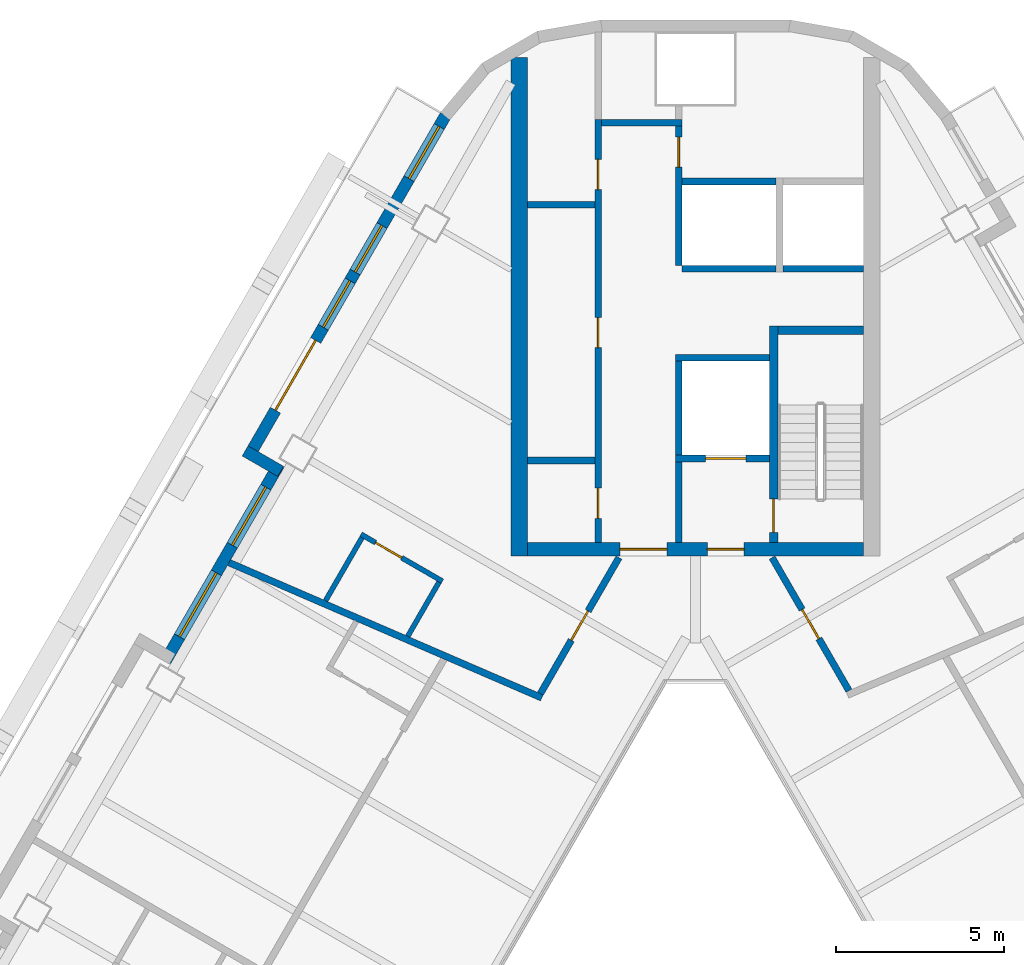
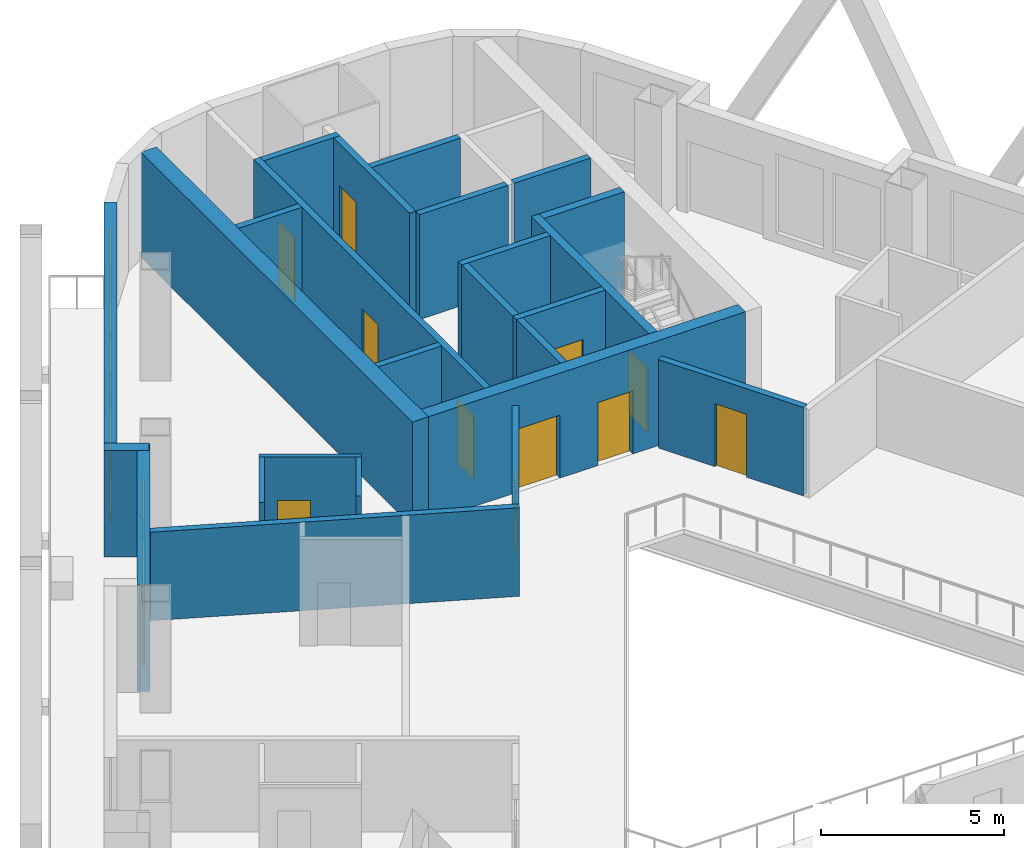
# One storey, part 6 of 13: 25 walls, 12 doors, 5 windows, 17 openings.
"""IFC4 building model written with IfcOpenShell, lengths in metres."""

from ifc_helpers import new_model, si_unit, direction, frame, frame_2d, origin, place, context, subcontext, project, spatial, rectangle, extrude, material, layer, layer_set, type_object, element, fill, save


model = new_model("IFC4")

# Units and contexts
model_context = context("Model", 3, precision=1e-05, world=origin(), true_north=direction((0.0, 1.0)))
body_context = subcontext(model_context, "Body", "Model", "MODEL_VIEW")
ifc_project = project(units=[si_unit("LENGTHUNIT", "METRE"), si_unit("AREAUNIT", "SQUARE_METRE"), si_unit("VOLUMEUNIT", "CUBIC_METRE"), si_unit("PLANEANGLEUNIT", "RADIAN"), si_unit("MASSUNIT", "GRAM", prefix="KILO")], contexts=[model_context])

# Site, building, storey
site_placement = place(None, origin())
site = spatial("IfcSite", under=ifc_project, at=site_placement, CompositionType="ELEMENT")
building_placement = place(site_placement, origin())
building = spatial("IfcBuilding", under=site, at=building_placement, Name="Apuvela Tower Hotel", CompositionType="ELEMENT")
storey_placement = place(building_placement, frame((0.0, 0.0, 161.39990234375)))
storey = spatial("IfcBuildingStorey", under=building, at=storey_placement, Name="L38", CompositionType="ELEMENT", Elevation=161.39990234375)

# Wall, openings, doors
ifc_material_1 = material(Name="Concrete C50/60", Category="concrete")
ifc_layer_1 = layer(ifc_material_1, 0.39990234375)
ifc_layer_set_1 = layer_set([ifc_layer_1], Name="COR-WALL-CORE-400")
wall_type_1 = type_object("IfcWallType", Name="COR-WALL-CORE-400", PredefinedType="SHEAR", material=ifc_layer_set_1)
wall_1_placement = place(storey_placement, frame((5.0, 13.10009765625, 0.0), z_axis=(0.0, 0.0, 1.0), x_axis=(-1.0, 0.0, 0.0)))
wall_1 = element("IfcWall", 1, at=wall_1_placement, inside=storey, type_object=wall_type_1, Name="Core wall N", PredefinedType="SHEAR", context=body_context, shape_type="SweptSolid", body=[
    extrude(rectangle(XDim=10.0, YDim=0.39990234375, at=frame_2d((5.0, 0.0))), origin(), (0.0, 0.0, 1.0), 3.5),
])
opening_1_placement = place(wall_1_placement, frame((3.550048828125, 0.0, 0.0)))
opening_1 = element("IfcOpeningElement", 2, at=opening_1_placement, cuts=wall_1, Name="Opening N-FD", PredefinedType="OPENING", context=body_context, shape_type="SweptSolid", body=[
    extrude(rectangle(XDim=1.10009765625, YDim=2.10009765625, at=frame_2d((0.550048828125, 1.050048828125))), frame((0.0, 0.2099609375, 0.0), z_axis=(0.0, -1.0, 0.0), x_axis=(1.0, 0.0, 0.0)), (0.0, 0.0, 1.0), 0.419921875),
])
opening_2_placement = place(wall_1_placement, frame((5.85009765625, 0.0, 0.0)))
opening_2 = element("IfcOpeningElement", 3, at=opening_2_placement, cuts=wall_1, Name="Opening N-GD", PredefinedType="OPENING", context=body_context, shape_type="SweptSolid", body=[
    extrude(rectangle(XDim=1.39990234375, YDim=2.10009765625, at=frame_2d((0.699951171875, 1.050048828125))), frame((0.0, 0.2099609375, 0.0), z_axis=(0.0, -1.0, 0.0), x_axis=(1.0, 0.0, 0.0)), (0.0, 0.0, 1.0), 0.419921875),
])
ifc_material_2 = material(Name="Steel fire door, powder coated", Category="steel")
door_type_1 = type_object("IfcDoorType", Name="COR-FD-1100", OperationType="NOTDEFINED", PredefinedType="DOOR", material=ifc_material_2)
door_1_placement = place(opening_1_placement, frame((1.10009765625, 0.0, 0.0), z_axis=(0.0, 0.0, 1.0), x_axis=(-1.0, 0.0, 0.0)))
door_1 = element("IfcDoor", 4, at=door_1_placement, inside=storey, type_object=door_type_1, Name="Firefighting lobby door N-FD", OperationType="SINGLE_SWING_LEFT", OverallHeight=2.10009765625, OverallWidth=1.10009765625, PredefinedType="DOOR", context=body_context, shape_type="SweptSolid", body=[
    extrude(rectangle(XDim=1.10009765625, YDim=2.10009765625, at=frame_2d((0.550048828125, 1.050048828125))), frame((0.0, 0.02490234375, 0.0), z_axis=(0.0, -1.0, 0.0), x_axis=(1.0, 0.0, 0.0)), (0.0, 0.0, 1.0), 0.050048828125),
])
fill(opening_1, door_1)
ifc_material_3 = material(Name="Glazed steel fire door", Category="steel")
door_type_2 = type_object("IfcDoorType", Name="COR-GD-1400", OperationType="DOUBLE_DOOR_SINGLE_SWING", PredefinedType="DOOR", material=ifc_material_3)
door_2_placement = place(opening_2_placement, frame((1.39990234375, 0.0, 0.0), z_axis=(0.0, 0.0, 1.0), x_axis=(-1.0, 0.0, 0.0)))
door_2 = element("IfcDoor", 5, at=door_2_placement, inside=storey, type_object=door_type_2, Name="Lift lobby door N-GD", OperationType="DOUBLE_DOOR_SINGLE_SWING", OverallHeight=2.10009765625, OverallWidth=1.39990234375, PredefinedType="DOOR", context=body_context, shape_type="SweptSolid", body=[
    extrude(rectangle(XDim=1.39990234375, YDim=2.10009765625, at=frame_2d((0.699951171875, 1.050048828125))), frame((0.0, 0.02490234375, 0.0), z_axis=(0.0, -1.0, 0.0), x_axis=(1.0, 0.0, 0.0)), (0.0, 0.0, 1.0), 0.050048828125),
])
fill(opening_2, door_2)

# Walls
ifc_layer_2 = layer(ifc_material_1, 0.5)
ifc_layer_set_2 = layer_set([ifc_layer_2], Name="COR-WALL-CORE-500")
wall_type_2 = type_object("IfcWallType", Name="COR-WALL-CORE-500", PredefinedType="SHEAR", material=ifc_layer_set_2)
wall_2_placement = place(storey_placement, frame((-5.25, 12.89990234375, 0.0), z_axis=(0.0, 0.0, 1.0), x_axis=(0.0, 1.0, 0.0)))
element("IfcWall", 6, at=wall_2_placement, inside=storey, type_object=wall_type_2, Name="Core wall N", PredefinedType="SHEAR", context=body_context, shape_type="SweptSolid", body=[
    extrude(rectangle(XDim=14.8369140625, YDim=0.5, at=frame_2d((7.41845703125, 0.0))), origin(), (0.0, 0.0, 1.0), 3.5),
])
ifc_material_4 = material(Name="Blockwork 200 mm plastered", Category="masonry")
ifc_layer_3 = layer(ifc_material_4, 0.199951171875)
ifc_layer_set_3 = layer_set([ifc_layer_3], Name="COR-WALL-PART-200")
wall_type_3 = type_object("IfcWallType", Name="COR-WALL-PART-200", PredefinedType="PARTITIONING", material=ifc_layer_set_3)
wall_3_placement = place(storey_placement, frame((5.0, 21.449951171875, 0.0), z_axis=(0.0, 0.0, 1.0), x_axis=(-1.0, 0.0, 0.0)))
element("IfcWall", 7, at=wall_3_placement, inside=storey, type_object=wall_type_3, Name="Partition N", PredefinedType="PARTITIONING", context=body_context, shape_type="SweptSolid", body=[
    extrude(rectangle(XDim=2.39990234375, YDim=0.199951171875, at=frame_2d((1.199951171875, 0.0))), origin(), (0.0, 0.0, 1.0), 3.5),
])
wall_4_placement = place(storey_placement, frame((2.39990234375, 21.449951171875, 0.0), z_axis=(0.0, 0.0, 1.0), x_axis=(-1.0, 0.0, 0.0)))
element("IfcWall", 8, at=wall_4_placement, inside=storey, type_object=wall_type_3, Name="Partition N", PredefinedType="PARTITIONING", context=body_context, shape_type="SweptSolid", body=[
    extrude(rectangle(XDim=2.7998046875, YDim=0.199951171875, at=frame_2d((1.39990234375, 0.0))), origin(), (0.0, 0.0, 1.0), 3.5),
])
ifc_layer_4 = layer(ifc_material_1, 0.199951171875)
ifc_layer_set_4 = layer_set([ifc_layer_4], Name="COR-WALL-SHAFT-200")
wall_type_4 = type_object("IfcWallType", Name="COR-WALL-SHAFT-200", PredefinedType="SHEAR", material=ifc_layer_set_4)
wall_5_placement = place(storey_placement, frame((2.199951171875, 18.800048828125, 0.0), z_axis=(0.0, 0.0, 1.0), x_axis=(-1.0, 0.0, 0.0)))
element("IfcWall", 9, at=wall_5_placement, inside=storey, type_object=wall_type_4, Name="Shaft wall N", PredefinedType="SHEAR", context=body_context, shape_type="SweptSolid", body=[
    extrude(rectangle(XDim=2.800048828125, YDim=0.199951171875, at=frame_2d((1.39990234375, 0.0))), origin(), (0.0, 0.0, 1.0), 3.5),
])

# Wall, opening, door
wall_6_placement = place(storey_placement, frame((2.199951171875, 15.800048828125, 0.0), z_axis=(0.0, 0.0, 1.0), x_axis=(-1.0, 0.0, 0.0)))
wall_6 = element("IfcWall", 10, at=wall_6_placement, inside=storey, type_object=wall_type_4, Name="Shaft wall N", PredefinedType="SHEAR", context=body_context, shape_type="SweptSolid", body=[
    extrude(rectangle(XDim=2.800048828125, YDim=0.199951171875, at=frame_2d((1.39990234375, 0.0))), origin(), (0.0, 0.0, 1.0), 3.5),
])
opening_3_placement = place(wall_6_placement, frame((0.699951171875, 0.0, 0.0)))
opening_3 = element("IfcOpeningElement", 11, at=opening_3_placement, cuts=wall_6, Name="Opening N-LD-FS1", PredefinedType="OPENING", context=body_context, shape_type="SweptSolid", body=[
    extrude(rectangle(XDim=1.199951171875, YDim=2.10009765625, at=frame_2d((0.60009765625, 1.050048828125))), frame((0.0, 0.10986328125, 0.0), z_axis=(0.0, -1.0, 0.0), x_axis=(1.0, 0.0, 0.0)), (0.0, 0.0, 1.0), 0.219970703125),
])
ifc_material_5 = material(Name="Stainless steel lift landing door", Category="steel")
door_type_3 = type_object("IfcDoorType", Name="COR-LD-1200", OperationType="DOUBLE_DOOR_SLIDING", PredefinedType="DOOR", material=ifc_material_5)
door_3_placement = place(opening_3_placement, origin())
door_3 = element("IfcDoor", 12, at=door_3_placement, inside=storey, type_object=door_type_3, Name="Lift landing door N-LD-FS1", OperationType="DOUBLE_DOOR_SLIDING", OverallHeight=2.10009765625, OverallWidth=1.199951171875, PredefinedType="DOOR", context=body_context, shape_type="SweptSolid", body=[
    extrude(rectangle(XDim=1.199951171875, YDim=2.10009765625, at=frame_2d((0.60009765625, 1.050048828125))), frame((0.0, 0.02490234375, 0.0), z_axis=(0.0, -1.0, 0.0), x_axis=(1.0, 0.0, 0.0)), (0.0, 0.0, 1.0), 0.050048828125),
])
fill(opening_3, door_3)

# Walls
wall_7_placement = place(storey_placement, frame((-0.5, 15.89990234375, 0.0), z_axis=(0.0, 0.0, 1.0), x_axis=(0.0, 1.0, 0.0)))
element("IfcWall", 13, at=wall_7_placement, inside=storey, type_object=wall_type_4, Name="Shaft wall N", PredefinedType="SHEAR", context=body_context, shape_type="SweptSolid", body=[
    extrude(rectangle(XDim=2.800048828125, YDim=0.199951171875, at=frame_2d((1.39990234375, 0.0))), origin(), (0.0, 0.0, 1.0), 3.5),
])
wall_8_placement = place(storey_placement, frame((-0.5, 13.300048828125, 0.0), z_axis=(0.0, 0.0, 1.0), x_axis=(0.0, 1.0, 0.0)))
element("IfcWall", 14, at=wall_8_placement, inside=storey, type_object=wall_type_4, Name="Shaft wall N", PredefinedType="SHEAR", context=body_context, shape_type="SweptSolid", body=[
    extrude(rectangle(XDim=2.39990234375, YDim=0.199951171875, at=frame_2d((1.199951171875, 0.0))), origin(), (0.0, 0.0, 1.0), 3.5),
])

# Wall, openings, doors
wall_9_placement = place(storey_placement, frame((-2.89990234375, 13.300048828125, 0.0), z_axis=(0.0, 0.0, 1.0), x_axis=(0.0, 1.0, 0.0)))
wall_9 = element("IfcWall", 15, at=wall_9_placement, inside=storey, type_object=wall_type_4, Name="Shaft wall N", PredefinedType="SHEAR", context=body_context, shape_type="SweptSolid", body=[
    extrude(rectangle(XDim=12.599853515625, YDim=0.199951171875, at=frame_2d((6.2998046875, 0.0))), origin(), (0.0, 0.0, 1.0), 3.5),
])
opening_4_placement = place(wall_9_placement, frame((0.719970703125, 0.0, 0.0)))
opening_4 = element("IfcOpeningElement", 16, at=opening_4_placement, cuts=wall_9, Name="Opening N-RE1", PredefinedType="OPENING", context=body_context, shape_type="SweptSolid", body=[
    extrude(rectangle(XDim=0.89990234375, YDim=2.10009765625, at=frame_2d((0.449951171875, 1.050048828125))), frame((0.0, 0.10986328125, 0.0), z_axis=(0.0, -1.0, 0.0), x_axis=(1.0, 0.0, 0.0)), (0.0, 0.0, 1.0), 0.219970703125),
])
opening_5_placement = place(wall_9_placement, frame((5.800048828125, 0.0, 0.0)))
opening_5 = element("IfcOpeningElement", 17, at=opening_5_placement, cuts=wall_9, Name="Opening N-RE2", PredefinedType="OPENING", context=body_context, shape_type="SweptSolid", body=[
    extrude(rectangle(XDim=0.89990234375, YDim=2.10009765625, at=frame_2d((0.449951171875, 1.050048828125))), frame((0.0, 0.10986328125, 0.0), z_axis=(0.0, -1.0, 0.0), x_axis=(1.0, 0.0, 0.0)), (0.0, 0.0, 1.0), 0.219970703125),
])
opening_6_placement = place(wall_9_placement, frame((10.510009765625, 0.0, 0.0)))
opening_6 = element("IfcOpeningElement", 18, at=opening_6_placement, cuts=wall_9, Name="Opening N-REP", PredefinedType="OPENING", context=body_context, shape_type="SweptSolid", body=[
    extrude(rectangle(XDim=0.89990234375, YDim=2.10009765625, at=frame_2d((0.449951171875, 1.050048828125))), frame((0.0, 0.10986328125, 0.0), z_axis=(0.0, -1.0, 0.0), x_axis=(1.0, 0.0, 0.0)), (0.0, 0.0, 1.0), 0.219970703125),
])
door_type_4 = type_object("IfcDoorType", Name="COR-DR-900", OperationType="NOTDEFINED", PredefinedType="DOOR", material=ifc_material_2)
door_4_placement = place(opening_4_placement, origin())
door_4 = element("IfcDoor", 19, at=door_4_placement, inside=storey, type_object=door_type_4, Name="Store door N-RE1", OperationType="SINGLE_SWING_LEFT", OverallHeight=2.10009765625, OverallWidth=0.89990234375, PredefinedType="DOOR", context=body_context, shape_type="SweptSolid", body=[
    extrude(rectangle(XDim=0.89990234375, YDim=2.10009765625, at=frame_2d((0.449951171875, 1.050048828125))), frame((0.0, 0.02490234375, 0.0), z_axis=(0.0, -1.0, 0.0), x_axis=(1.0, 0.0, 0.0)), (0.0, 0.0, 1.0), 0.050048828125),
])
fill(opening_4, door_4)
door_5_placement = place(opening_5_placement, origin())
door_5 = element("IfcDoor", 20, at=door_5_placement, inside=storey, type_object=door_type_4, Name="Store door N-RE2", OperationType="SINGLE_SWING_RIGHT", OverallHeight=2.10009765625, OverallWidth=0.89990234375, PredefinedType="DOOR", context=body_context, shape_type="SweptSolid", body=[
    extrude(rectangle(XDim=0.89990234375, YDim=2.10009765625, at=frame_2d((0.449951171875, 1.050048828125))), frame((0.0, 0.02490234375, 0.0), z_axis=(0.0, -1.0, 0.0), x_axis=(1.0, 0.0, 0.0)), (0.0, 0.0, 1.0), 0.050048828125),
])
fill(opening_5, door_5)
door_6_placement = place(opening_6_placement, origin())
door_6 = element("IfcDoor", 21, at=door_6_placement, inside=storey, type_object=door_type_4, Name="Store door N-REP", OperationType="SINGLE_SWING_RIGHT", OverallHeight=2.10009765625, OverallWidth=0.89990234375, PredefinedType="DOOR", context=body_context, shape_type="SweptSolid", body=[
    extrude(rectangle(XDim=0.89990234375, YDim=2.10009765625, at=frame_2d((0.449951171875, 1.050048828125))), frame((0.0, 0.02490234375, 0.0), z_axis=(0.0, -1.0, 0.0), x_axis=(1.0, 0.0, 0.0)), (0.0, 0.0, 1.0), 0.050048828125),
])
fill(opening_6, door_6)

# Wall
wall_10_placement = place(storey_placement, frame((-0.39990234375, 25.800048828125, 0.0), z_axis=(0.0, 0.0, 1.0), x_axis=(-1.0, 0.0, 0.0)))
element("IfcWall", 22, at=wall_10_placement, inside=storey, type_object=wall_type_4, Name="Shaft wall N", PredefinedType="SHEAR", context=body_context, shape_type="SweptSolid", body=[
    extrude(rectangle(XDim=2.400146484375, YDim=0.199951171875, at=frame_2d((1.2001953125, 0.0))), origin(), (0.0, 0.0, 1.0), 3.5),
])

# Wall, opening, door
wall_11_placement = place(storey_placement, frame((-0.5, 21.550048828125, 0.0), z_axis=(0.0, 0.0, 1.0), x_axis=(0.0, 1.0, 0.0)))
wall_11 = element("IfcWall", 23, at=wall_11_placement, inside=storey, type_object=wall_type_4, Name="Shaft wall N", PredefinedType="SHEAR", context=body_context, shape_type="SweptSolid", body=[
    extrude(rectangle(XDim=4.14990234375, YDim=0.199951171875, at=frame_2d((2.074951171875, 0.0))), origin(), (0.0, 0.0, 1.0), 3.5),
])
opening_7_placement = place(wall_11_placement, frame((2.925048828125, 0.0, 0.0)))
opening_7 = element("IfcOpeningElement", 24, at=opening_7_placement, cuts=wall_11, Name="Opening N-RSP", PredefinedType="OPENING", context=body_context, shape_type="SweptSolid", body=[
    extrude(rectangle(XDim=0.89990234375, YDim=2.10009765625, at=frame_2d((0.449951171875, 1.050048828125))), frame((0.0, 0.10986328125, 0.0), z_axis=(0.0, -1.0, 0.0), x_axis=(1.0, 0.0, 0.0)), (0.0, 0.0, 1.0), 0.219970703125),
])
door_7_placement = place(opening_7_placement, frame((0.89990234375, 0.0, 0.0), z_axis=(0.0, 0.0, 1.0), x_axis=(-1.0, 0.0, 0.0)))
door_7 = element("IfcDoor", 25, at=door_7_placement, inside=storey, type_object=door_type_4, Name="Store door N-RSP", OperationType="SINGLE_SWING_LEFT", OverallHeight=2.10009765625, OverallWidth=0.89990234375, PredefinedType="DOOR", context=body_context, shape_type="SweptSolid", body=[
    extrude(rectangle(XDim=0.89990234375, YDim=2.10009765625, at=frame_2d((0.449951171875, 1.050048828125))), frame((0.0, 0.02490234375, 0.0), z_axis=(0.0, -1.0, 0.0), x_axis=(1.0, 0.0, 0.0)), (0.0, 0.0, 1.0), 0.050048828125),
])
fill(opening_7, door_7)

# Walls
for number, where, z_axis, x_axis, name in (
    (26, (-3.0, 15.739990234375, 0.0), (0.0, 0.0, 1.0), (-1.0, 0.0, 0.0), "Shaft wall N"),
    (27, (-3.0, 23.360107421875, 0.0), (0.0, 0.0, 1.0), (-1.0, 0.0, 0.0), "Shaft wall N"),
):
    element("IfcWall", number, at=place(storey_placement, frame(where, z_axis=z_axis, x_axis=x_axis)), inside=storey, type_object=wall_type_4, Name=name, PredefinedType="SHEAR", context=body_context, shape_type="SweptSolid", body=[
        extrude(rectangle(XDim=2.0, YDim=0.199951171875, at=frame_2d((1.0, 0.0))), origin(), (0.0, 0.0, 1.0), 3.5),
    ])
wall_12_placement = place(storey_placement, frame((2.39990234375, 24.050048828125, 0.0), z_axis=(0.0, 0.0, 1.0), x_axis=(-1.0, 0.0, 0.0)))
element("IfcWall", 28, at=wall_12_placement, inside=storey, type_object=wall_type_4, Name="Shaft wall N", PredefinedType="SHEAR", context=body_context, shape_type="SweptSolid", body=[
    extrude(rectangle(XDim=2.7998046875, YDim=0.199951171875, at=frame_2d((1.39990234375, 0.0))), origin(), (0.0, 0.0, 1.0), 3.5),
])

# Wall, opening, door
ifc_layer_5 = layer(ifc_material_1, 0.25)
ifc_layer_set_5 = layer_set([ifc_layer_5], Name="COR-WALL-STAIR-250")
wall_type_5 = type_object("IfcWallType", Name="COR-WALL-STAIR-250", PredefinedType="SHEAR", material=ifc_layer_set_5)
wall_13_placement = place(storey_placement, frame((2.324951171875, 13.300048828125, 0.0), z_axis=(0.0, 0.0, 1.0), x_axis=(0.0, 1.0, 0.0)))
wall_13 = element("IfcWall", 29, at=wall_13_placement, inside=storey, type_object=wall_type_5, Name="Stair wall N", PredefinedType="SHEAR", context=body_context, shape_type="SweptSolid", body=[
    extrude(rectangle(XDim=6.449951171875, YDim=0.25, at=frame_2d((3.22509765625, 0.0))), origin(), (0.0, 0.0, 1.0), 3.5),
])
opening_8_placement = place(wall_13_placement, frame((0.300048828125, 0.0, 0.0)))
opening_8 = element("IfcOpeningElement", 30, at=opening_8_placement, cuts=wall_13, Name="Opening N-SD", PredefinedType="OPENING", context=body_context, shape_type="SweptSolid", body=[
    extrude(rectangle(XDim=1.0, YDim=2.10009765625, at=frame_2d((0.5, 1.050048828125))), frame((0.0, 0.135009765625, 0.0), z_axis=(0.0, -1.0, 0.0), x_axis=(1.0, 0.0, 0.0)), (0.0, 0.0, 1.0), 0.27001953125),
])
door_type_5 = type_object("IfcDoorType", Name="COR-SD-1000", OperationType="NOTDEFINED", PredefinedType="DOOR", material=ifc_material_2)
door_8_placement = place(opening_8_placement, frame((1.0, 0.0, 0.0), z_axis=(0.0, 0.0, 1.0), x_axis=(-1.0, 0.0, 0.0)))
door_8 = element("IfcDoor", 31, at=door_8_placement, inside=storey, type_object=door_type_5, Name="Stair door N-SD", OperationType="SINGLE_SWING_LEFT", OverallHeight=2.10009765625, OverallWidth=1.0, PredefinedType="DOOR", context=body_context, shape_type="SweptSolid", body=[
    extrude(rectangle(XDim=1.0, YDim=2.10009765625, at=frame_2d((0.5, 1.050048828125))), frame((0.0, 0.02490234375, 0.0), z_axis=(0.0, -1.0, 0.0), x_axis=(1.0, 0.0, 0.0)), (0.0, 0.0, 1.0), 0.050048828125),
])
fill(opening_8, door_8)

# Wall
wall_14_placement = place(storey_placement, frame((5.0, 19.625, 0.0), z_axis=(0.0, 0.0, 1.0), x_axis=(-1.0, 0.0, 0.0)))
element("IfcWall", 32, at=wall_14_placement, inside=storey, type_object=wall_type_5, Name="Stair wall N", PredefinedType="SHEAR", context=body_context, shape_type="SweptSolid", body=[
    extrude(rectangle(XDim=2.550048828125, YDim=0.25, at=frame_2d((1.27490234375, 0.0))), origin(), (0.0, 0.0, 1.0), 3.5),
])

# Wall, openings, door, windows
ifc_material_6 = material(Name="Concrete C40/50, dark pigmented precast panel", Category="concrete")
ifc_layer_6 = layer(ifc_material_6, 0.35009765625)
ifc_layer_set_6 = layer_set([ifc_layer_6], Name="ENV-WALL-350")
wall_type_6 = type_object("IfcWallType", Name="ENV-WALL-350", PredefinedType="SOLIDWALL", material=ifc_layer_set_6)
wall_15_placement = place(storey_placement, frame((-7.440673828125, 26.0224609375, 0.0), z_axis=(0.0, 0.0, 1.0), x_axis=(-0.499992533062, -0.86602971478, 0.0)))
wall_15 = element("IfcWall", 33, at=wall_15_placement, inside=storey, type_object=wall_type_6, Name="External wall L38-01", PredefinedType="SOLIDWALL", context=body_context, shape_type="SweptSolid", body=[
    extrude(rectangle(XDim=11.815673828125, YDim=0.35009765625, at=frame_2d((5.90771484375, 0.0))), origin(), (0.0, 0.0, 1.0), 3.550048828125),
])
opening_9_placement = place(wall_15_placement, frame((0.381103515625, 0.0, 0.300048828125)))
opening_9 = element("IfcOpeningElement", 34, at=opening_9_placement, cuts=wall_15, Name="Opening WN18", PredefinedType="OPENING", context=body_context, shape_type="SweptSolid", body=[
    extrude(rectangle(XDim=1.800048828125, YDim=2.64990234375, at=frame_2d((0.89990234375, 1.324951171875))), frame((0.0, 0.18505859375, 0.0), z_axis=(0.0, -1.0, 0.0), x_axis=(1.0, 0.0, 0.0)), (0.0, 0.0, 1.0), 0.3701171875),
])
opening_10_placement = place(wall_15_placement, frame((7.740478515625, 0.0, 0.0)))
opening_10 = element("IfcOpeningElement", 35, at=opening_10_placement, cuts=wall_15, Name="Opening BD24", PredefinedType="OPENING", context=body_context, shape_type="SweptSolid", body=[
    extrude(rectangle(XDim=2.39990234375, YDim=2.39990234375, at=frame_2d((1.199951171875, 1.199951171875))), frame((0.0, 0.18505859375, 0.0), z_axis=(0.0, -1.0, 0.0), x_axis=(1.0, 0.0, 0.0)), (0.0, 0.0, 1.0), 0.3701171875),
])
opening_11_placement = place(wall_15_placement, frame((3.791015625, 0.0, 0.300048828125)))
opening_11 = element("IfcOpeningElement", 36, at=opening_11_placement, cuts=wall_15, Name="Opening WN16", PredefinedType="OPENING", context=body_context, shape_type="SweptSolid", body=[
    extrude(rectangle(XDim=1.60009765625, YDim=2.64990234375, at=frame_2d((0.800048828125, 1.324951171875))), frame((0.0, 0.18505859375, 0.0), z_axis=(0.0, -1.0, 0.0), x_axis=(1.0, 0.0, 0.0)), (0.0, 0.0, 1.0), 0.3701171875),
])
opening_12_placement = place(wall_15_placement, frame((5.69091796875, 0.0, 0.300048828125)))
opening_12 = element("IfcOpeningElement", 37, at=opening_12_placement, cuts=wall_15, Name="Opening WN16", PredefinedType="OPENING", context=body_context, shape_type="SweptSolid", body=[
    extrude(rectangle(XDim=1.60009765625, YDim=2.64990234375, at=frame_2d((0.800048828125, 1.324951171875))), frame((0.0, 0.18505859375, 0.0), z_axis=(0.0, -1.0, 0.0), x_axis=(1.0, 0.0, 0.0)), (0.0, 0.0, 1.0), 0.3701171875),
])
ifc_material_7 = material(Name="Aluminium 6063-T6, dark bronze anodised frame with dark tinted laminated glass", Category="aluminium")
door_type_6 = type_object("IfcDoorType", Name="ENV-DOOR-BALCONY-2400x2400", OperationType="SLIDING_TO_LEFT", PredefinedType="DOOR", material=ifc_material_7)
door_9_placement = place(opening_10_placement, frame((2.39990234375, 0.0, 0.0), z_axis=(0.0, 0.0, 1.0), x_axis=(-1.0, 0.0, 0.0)))
door_9 = element("IfcDoor", 38, at=door_9_placement, inside=storey, type_object=door_type_6, Name="Balcony door BD24", OperationType="SLIDING_TO_LEFT", OverallHeight=2.39990234375, OverallWidth=2.39990234375, PredefinedType="DOOR", context=body_context, shape_type="SweptSolid", body=[
    extrude(rectangle(XDim=2.39990234375, YDim=2.39990234375, at=frame_2d((1.199951171875, 1.199951171875))), frame((0.0, 0.02490234375, 0.0), z_axis=(0.0, -1.0, 0.0), x_axis=(1.0, 0.0, 0.0)), (0.0, 0.0, 1.0), 0.050048828125),
])
fill(opening_10, door_9)
ifc_material_8 = material(Name="Glass, dark tinted laminated insulated glazing unit", Category="glass")
window_type_1 = type_object("IfcWindowType", Name="ENV-WIN-1600x2650", PartitioningType="SINGLE_PANEL", PredefinedType="WINDOW", material=ifc_material_8)
window_1_placement = place(opening_11_placement, origin())
window_1 = element("IfcWindow", 39, at=window_1_placement, inside=storey, type_object=window_type_1, Name="Window WN16", OverallHeight=2.64990234375, OverallWidth=1.60009765625, PartitioningType="SINGLE_PANEL", PredefinedType="WINDOW", context=body_context, shape_type="SweptSolid", body=[
    extrude(rectangle(XDim=1.60009765625, YDim=2.64990234375, at=frame_2d((0.800048828125, 1.324951171875))), frame((0.0, 0.030029296875, 0.0), z_axis=(0.0, -1.0, 0.0), x_axis=(1.0, 0.0, 0.0)), (0.0, 0.0, 1.0), 0.06005859375),
])
fill(opening_11, window_1)
window_2_placement = place(opening_12_placement, origin())
window_2 = element("IfcWindow", 40, at=window_2_placement, inside=storey, type_object=window_type_1, Name="Window WN16", OverallHeight=2.64990234375, OverallWidth=1.60009765625, PartitioningType="SINGLE_PANEL", PredefinedType="WINDOW", context=body_context, shape_type="SweptSolid", body=[
    extrude(rectangle(XDim=1.60009765625, YDim=2.64990234375, at=frame_2d((0.800048828125, 1.324951171875))), frame((0.0, 0.030029296875, 0.0), z_axis=(0.0, -1.0, 0.0), x_axis=(1.0, 0.0, 0.0)), (0.0, 0.0, 1.0), 0.06005859375),
])
fill(opening_12, window_2)
window_type_2 = type_object("IfcWindowType", Name="ENV-WIN-1800x2650", PartitioningType="SINGLE_PANEL", PredefinedType="WINDOW", material=ifc_material_8)
window_3_placement = place(opening_9_placement, origin())
window_3 = element("IfcWindow", 41, at=window_3_placement, inside=storey, type_object=window_type_2, Name="Window WN18", OverallHeight=2.64990234375, OverallWidth=1.800048828125, PartitioningType="SINGLE_PANEL", PredefinedType="WINDOW", context=body_context, shape_type="SweptSolid", body=[
    extrude(rectangle(XDim=1.800048828125, YDim=2.64990234375, at=frame_2d((0.89990234375, 1.324951171875))), frame((0.0, 0.030029296875, 0.0), z_axis=(0.0, -1.0, 0.0), x_axis=(1.0, 0.0, 0.0)), (0.0, 0.0, 1.0), 0.06005859375),
])
fill(opening_9, window_3)

# Wall
wall_16_placement = place(storey_placement, frame((-13.41259765625, 16.02880859375, 0.0), z_axis=(0.0, 0.0, 1.0), x_axis=(0.866005645448, -0.500034220881, 0.0)))
element("IfcWall", 42, at=wall_16_placement, inside=storey, type_object=wall_type_6, Name="External wall L38-02", PredefinedType="SOLIDWALL", context=body_context, shape_type="SweptSolid", body=[
    extrude(rectangle(XDim=1.22021484375, YDim=0.35009765625, at=frame_2d((0.610107421875, 0.0))), origin(), (0.0, 0.0, 1.0), 3.550048828125),
])

# Wall, openings, windows
wall_17_placement = place(storey_placement, frame((-12.408935546875, 15.616943359375, 0.0), z_axis=(0.0, 0.0, 1.0), x_axis=(-0.500003597184, -0.866023326939, 0.0)))
wall_17 = element("IfcWall", 43, at=wall_17_placement, inside=storey, type_object=wall_type_6, Name="External wall L38-03", PredefinedType="SOLIDWALL", context=body_context, shape_type="SweptSolid", body=[
    extrude(rectangle(XDim=6.740234375, YDim=0.35009765625, at=frame_2d((3.3701171875, 0.0))), origin(), (0.0, 0.0, 1.0), 3.550048828125),
])
opening_13_placement = place(wall_17_placement, frame((0.77001953125, 0.0, 0.300048828125)))
opening_13 = element("IfcOpeningElement", 44, at=opening_13_placement, cuts=wall_17, Name="Opening WN20", PredefinedType="OPENING", context=body_context, shape_type="SweptSolid", body=[
    extrude(rectangle(XDim=2.0, YDim=2.64990234375, at=frame_2d((1.0, 1.324951171875))), frame((0.0, 0.18505859375, 0.0), z_axis=(0.0, -1.0, 0.0), x_axis=(1.0, 0.0, 0.0)), (0.0, 0.0, 1.0), 0.3701171875),
])
opening_14_placement = place(wall_17_placement, frame((3.71484375, 0.0, 0.300048828125)))
opening_14 = element("IfcOpeningElement", 45, at=opening_14_placement, cuts=wall_17, Name="Opening WN22", PredefinedType="OPENING", context=body_context, shape_type="SweptSolid", body=[
    extrude(rectangle(XDim=2.199951171875, YDim=2.64990234375, at=frame_2d((1.10009765625, 1.324951171875))), frame((0.0, 0.18505859375, 0.0), z_axis=(0.0, -1.0, 0.0), x_axis=(1.0, 0.0, 0.0)), (0.0, 0.0, 1.0), 0.3701171875),
])
window_type_3 = type_object("IfcWindowType", Name="ENV-WIN-2000x2650", PartitioningType="SINGLE_PANEL", PredefinedType="WINDOW", material=ifc_material_8)
window_4_placement = place(opening_13_placement, origin())
window_4 = element("IfcWindow", 46, at=window_4_placement, inside=storey, type_object=window_type_3, Name="Window WN20", OverallHeight=2.64990234375, OverallWidth=2.0, PartitioningType="SINGLE_PANEL", PredefinedType="WINDOW", context=body_context, shape_type="SweptSolid", body=[
    extrude(rectangle(XDim=2.0, YDim=2.64990234375, at=frame_2d((1.0, 1.324951171875))), frame((0.0, 0.030029296875, 0.0), z_axis=(0.0, -1.0, 0.0), x_axis=(1.0, 0.0, 0.0)), (0.0, 0.0, 1.0), 0.06005859375),
])
fill(opening_13, window_4)
window_type_4 = type_object("IfcWindowType", Name="ENV-WIN-2200x2650", PartitioningType="SINGLE_PANEL", PredefinedType="WINDOW", material=ifc_material_8)
window_5_placement = place(opening_14_placement, origin())
window_5 = element("IfcWindow", 47, at=window_5_placement, inside=storey, type_object=window_type_4, Name="Window WN22", OverallHeight=2.64990234375, OverallWidth=2.199951171875, PartitioningType="SINGLE_PANEL", PredefinedType="WINDOW", context=body_context, shape_type="SweptSolid", body=[
    extrude(rectangle(XDim=2.199951171875, YDim=2.64990234375, at=frame_2d((1.10009765625, 1.324951171875))), frame((0.0, 0.030029296875, 0.0), z_axis=(0.0, -1.0, 0.0), x_axis=(1.0, 0.0, 0.0)), (0.0, 0.0, 1.0), 0.06005859375),
])
fill(opening_14, window_5)

# Wall
ifc_material_9 = material(Name="Gypsum board partition on twin steel stud", Category="steel")
ifc_layer_7 = layer(ifc_material_9, 0.199951171875)
ifc_layer_set_7 = layer_set([ifc_layer_7], Name="GST-PW1")
wall_type_7 = type_object("IfcWallType", Name="GST-PW1", PredefinedType="PARTITIONING", material=ifc_layer_set_7)
wall_18_placement = place(storey_placement, frame((-13.890380859375, 12.701171875, 0.0), z_axis=(0.0, 0.0, 1.0), x_axis=(0.917850876745, -0.396925393566, 0.0)))
element("IfcWall", 48, at=wall_18_placement, inside=storey, type_object=wall_type_7, Name="L38 partition 05", PredefinedType="PARTITIONING", context=body_context, shape_type="SweptSolid", body=[
    extrude(rectangle(XDim=10.1474609375, YDim=0.199951171875, at=frame_2d((5.07373046875, 0.0))), origin(), (0.0, 0.0, 1.0), 2.9501953125),
])

# Wall, opening, door
ifc_material_10 = material(Name="Gypsum board corridor wall on twin steel stud, acoustic", Category="steel")
ifc_layer_8 = layer(ifc_material_10, 0.199951171875)
ifc_layer_set_8 = layer_set([ifc_layer_8], Name="GST-PW2")
wall_type_8 = type_object("IfcWallType", Name="GST-PW2", PredefinedType="PARTITIONING", material=ifc_layer_set_8)
wall_19_placement = place(storey_placement, frame((2.280517578125, 12.85009765625, 0.0), z_axis=(0.0, 0.0, 1.0), x_axis=(0.500030411023, -0.86600784526, 0.0)))
wall_19 = element("IfcWall", 49, at=wall_19_placement, inside=storey, type_object=wall_type_8, Name="L38 partition 25", PredefinedType="PARTITIONING", context=body_context, shape_type="SweptSolid", body=[
    extrude(rectangle(XDim=4.574951171875, YDim=0.199951171875, at=frame_2d((2.28759765625, 0.0))), origin(), (0.0, 0.0, 1.0), 2.9501953125),
])
opening_15_placement = place(wall_19_placement, frame((1.787353515625, 0.0, 0.0)))
opening_15 = element("IfcOpeningElement", 50, at=opening_15_placement, cuts=wall_19, Name="Opening GD14-12", PredefinedType="OPENING", context=body_context, shape_type="SweptSolid", body=[
    extrude(rectangle(XDim=1.0, YDim=2.10009765625, at=frame_2d((0.5, 1.050048828125))), frame((0.0, 0.10986328125, 0.0), z_axis=(0.0, -1.0, 0.0), x_axis=(1.0, 0.0, 0.0)), (0.0, 0.0, 1.0), 0.219970703125),
])
ifc_material_11 = material(Name="Timber door leaf in steel frame", Category="steel")
door_type_7 = type_object("IfcDoorType", Name="GST-D1", OperationType="NOTDEFINED", PredefinedType="DOOR", material=ifc_material_11)
door_10_placement = place(opening_15_placement, origin())
door_10 = element("IfcDoor", 51, at=door_10_placement, inside=storey, type_object=door_type_7, Name="Door L38-12", OperationType="SINGLE_SWING_RIGHT", OverallHeight=2.10009765625, OverallWidth=1.0, PredefinedType="DOOR", context=body_context, shape_type="SweptSolid", body=[
    extrude(rectangle(XDim=1.0, YDim=2.10009765625, at=frame_2d((0.5, 1.050048828125))), frame((0.0, 0.02490234375, 0.0), z_axis=(0.0, -1.0, 0.0), x_axis=(1.0, 0.0, 0.0)), (0.0, 0.0, 1.0), 0.050048828125),
])
fill(opening_15, door_10)

wall_20_placement = place(storey_placement, frame((-4.618408203125, 8.800537109375, 0.0), z_axis=(0.0, 0.0, 1.0), x_axis=(0.499980071345, 0.866036909293, 0.0)))
wall_20 = element("IfcWall", 52, at=wall_20_placement, inside=storey, type_object=wall_type_8, Name="L38 partition 29", PredefinedType="PARTITIONING", context=body_context, shape_type="SweptSolid", body=[
    extrude(rectangle(XDim=4.676025390625, YDim=0.199951171875, at=frame_2d((2.337890625, 0.0))), origin(), (0.0, 0.0, 1.0), 2.9501953125),
])
opening_16_placement = place(wall_20_placement, frame((1.837890625, 0.0, 0.0)))
opening_16 = element("IfcOpeningElement", 53, at=opening_16_placement, cuts=wall_20, Name="Opening GD14-14", PredefinedType="OPENING", context=body_context, shape_type="SweptSolid", body=[
    extrude(rectangle(XDim=1.0, YDim=2.10009765625, at=frame_2d((0.5, 1.050048828125))), frame((0.0, 0.10986328125, 0.0), z_axis=(0.0, -1.0, 0.0), x_axis=(1.0, 0.0, 0.0)), (0.0, 0.0, 1.0), 0.219970703125),
])
door_11_placement = place(opening_16_placement, origin())
door_11 = element("IfcDoor", 54, at=door_11_placement, inside=storey, type_object=door_type_7, Name="Door L38-14", OperationType="SINGLE_SWING_LEFT", OverallHeight=2.10009765625, OverallWidth=1.0, PredefinedType="DOOR", context=body_context, shape_type="SweptSolid", body=[
    extrude(rectangle(XDim=1.0, YDim=2.10009765625, at=frame_2d((0.5, 1.050048828125))), frame((0.0, 0.02490234375, 0.0), z_axis=(0.0, -1.0, 0.0), x_axis=(1.0, 0.0, 0.0)), (0.0, 0.0, 1.0), 0.050048828125),
])
fill(opening_16, door_11)

ifc_material_12 = material(Name="Moisture-resistant gypsum board wet wall on steel stud", Category="steel")
ifc_layer_9 = layer(ifc_material_12, 0.14990234375)
ifc_layer_set_9 = layer_set([ifc_layer_9], Name="GST-PW3")
wall_type_9 = type_object("IfcWallType", Name="GST-PW3", PredefinedType="PARTITIONING", material=ifc_layer_set_9)
wall_21_placement = place(storey_placement, frame((-7.536865234375, 12.14599609375, 0.0), z_axis=(0.0, 0.0, 1.0), x_axis=(-0.866034573852, 0.49998411664, 0.0)))
wall_21 = element("IfcWall", 55, at=wall_21_placement, inside=storey, type_object=wall_type_9, Name="L38 partition 30", PredefinedType="PARTITIONING", context=body_context, shape_type="SweptSolid", body=[
    extrude(rectangle(XDim=2.7998046875, YDim=0.14990234375, at=frame_2d((1.39990234375, 0.0))), origin(), (0.0, 0.0, 1.0), 3.550048828125),
])
opening_17_placement = place(wall_21_placement, frame((1.39990234375, 0.0, 0.0)))
opening_17 = element("IfcOpeningElement", 56, at=opening_17_placement, cuts=wall_21, Name="Opening GD14-13", PredefinedType="OPENING", context=body_context, shape_type="SweptSolid", body=[
    extrude(rectangle(XDim=0.89990234375, YDim=2.10009765625, at=frame_2d((0.449951171875, 1.050048828125))), frame((0.0, 0.0849609375, 0.0), z_axis=(0.0, -1.0, 0.0), x_axis=(1.0, 0.0, 0.0)), (0.0, 0.0, 1.0), 0.169921875),
])
door_type_8 = type_object("IfcDoorType", Name="GST-D2", OperationType="NOTDEFINED", PredefinedType="DOOR", material=ifc_material_11)
door_12_placement = place(opening_17_placement, origin())
door_12 = element("IfcDoor", 57, at=door_12_placement, inside=storey, type_object=door_type_8, Name="Door L38-13", OperationType="SINGLE_SWING_RIGHT", OverallHeight=2.10009765625, OverallWidth=0.89990234375, PredefinedType="DOOR", context=body_context, shape_type="SweptSolid", body=[
    extrude(rectangle(XDim=0.89990234375, YDim=2.10009765625, at=frame_2d((0.449951171875, 1.050048828125))), frame((0.0, 0.02490234375, 0.0), z_axis=(0.0, -1.0, 0.0), x_axis=(1.0, 0.0, 0.0)), (0.0, 0.0, 1.0), 0.050048828125),
])
fill(opening_17, door_12)

# Walls
wall_22_placement = place(storey_placement, frame((-9.93408203125, 13.443359375, 0.0), z_axis=(0.0, 0.0, 1.0), x_axis=(-0.500018419339, -0.866014769113, 0.0)))
element("IfcWall", 58, at=wall_22_placement, inside=storey, type_object=wall_type_9, Name="L38 partition 31", PredefinedType="PARTITIONING", context=body_context, shape_type="SweptSolid", body=[
    extrude(rectangle(XDim=2.166015625, YDim=0.14990234375, at=frame_2d((1.0830078125, 0.0))), origin(), (0.0, 0.0, 1.0), 3.550048828125),
])
wall_23_placement = place(storey_placement, frame((-7.63916015625, 12.118408203125, 0.0), z_axis=(0.0, 0.0, 1.0), x_axis=(-0.500052179009, -0.865995276124, 0.0)))
element("IfcWall", 59, at=wall_23_placement, inside=storey, type_object=wall_type_9, Name="L38 partition 32", PredefinedType="PARTITIONING", context=body_context, shape_type="SweptSolid", body=[
    extrude(rectangle(XDim=1.858642578125, YDim=0.14990234375, at=frame_2d((0.92919921875, 0.0))), origin(), (0.0, 0.0, 1.0), 3.550048828125),
])

save(model, "model.ifc")
